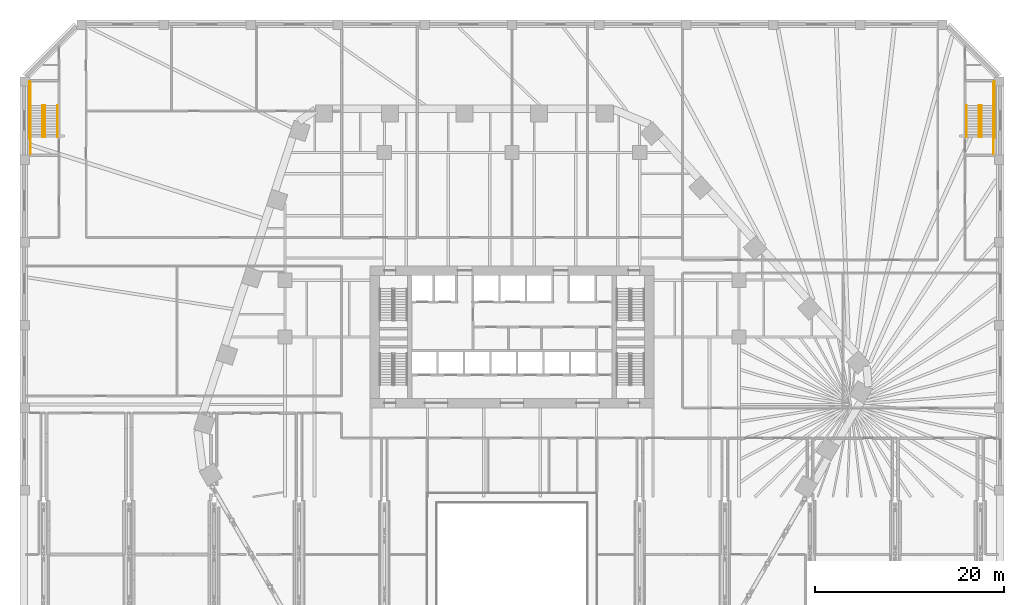
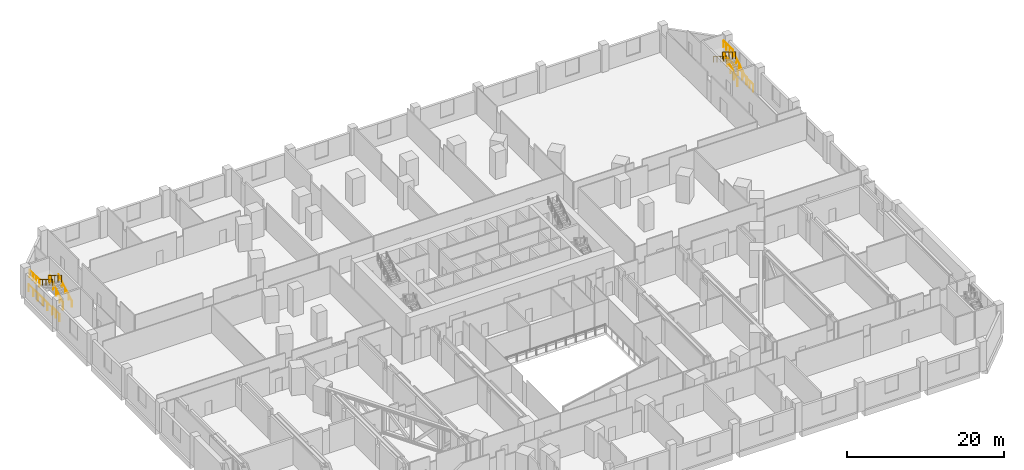
# One storey, part 32 of 32: 14 railings.
"""IFC4 building model written with IfcOpenShell, lengths in metres."""

from ifc_helpers import new_model, si_unit, direction, frame, origin, origin_2d, place, context, subcontext, project, spatial, circle, extrude, material, type_object, element, save


model = new_model("IFC4")

# Units and contexts
model_context = context("Model", 3, precision=1e-05, world=origin(), true_north=direction((0.0, 1.0)))
body_context = subcontext(model_context, "Body", "Model", "MODEL_VIEW")
ifc_project = project(units=[si_unit("LENGTHUNIT", "METRE"), si_unit("AREAUNIT", "SQUARE_METRE"), si_unit("VOLUMEUNIT", "CUBIC_METRE"), si_unit("PLANEANGLEUNIT", "RADIAN"), si_unit("MASSUNIT", "GRAM", prefix="KILO")], contexts=[model_context])

# Site, building, storey
site_placement = place(None, origin())
site = spatial("IfcSite", under=ifc_project, at=site_placement, CompositionType="ELEMENT")
building_placement = place(site_placement, origin())
building = spatial("IfcBuilding", under=site, at=building_placement, Name="Isthmus Gate Tower", CompositionType="ELEMENT")
storey_placement = place(building_placement, frame((0.0, 0.0, 18.0)))
storey = spatial("IfcBuildingStorey", under=building, at=storey_placement, Name="L02", CompositionType="ELEMENT", Elevation=18.0)

# Railings
ifc_material_1 = material(Name="Painted steel balusters with timber handrail", Category="steel")
railing_type_1 = type_object("IfcRailingType", Name="Podium stair guard 1100", PredefinedType="GUARDRAIL", material=ifc_material_1)
railing_1_placement = place(storey_placement, frame((49.60009765625, 28.625, 0.173095703125)))
element("IfcRailing", 1, at=railing_1_placement, inside=storey, type_object=railing_type_1, Name="L02 ST5 stair guard 1", PredefinedType="GUARDRAIL", context=body_context, shape_type="SweptSolid", body=[
    extrude(circle(Radius=0.02392578125, at=origin_2d()), frame((0.0, 0.0, 1.076171875), z_axis=(0.0, 0.850623216509, 0.525775754039), x_axis=(-1.0, 0.0, 0.0)), (0.0, 0.0, 1.0), 3.9501953125),
    extrude(circle(Radius=0.02099609375, at=origin_2d()), origin(), (0.0, 0.0, 1.0), 1.052001953125),
    extrude(circle(Radius=0.02099609375, at=origin_2d()), frame((0.0, 0.840087890625, 0.519287109375)), (0.0, 0.0, 1.0), 1.052001953125),
    extrude(circle(Radius=0.02099609375, at=origin_2d()), frame((0.0, 1.68017578125, 1.03857421875)), (0.0, 0.0, 1.0), 1.052001953125),
    extrude(circle(Radius=0.02099609375, at=origin_2d()), frame((0.0, 2.52001953125, 1.5576171875)), (0.0, 0.0, 1.0), 1.052001953125),
    extrude(circle(Radius=0.02099609375, at=origin_2d()), frame((0.0, 3.360107421875, 2.076904296875)), (0.0, 0.0, 1.0), 1.052001953125),
])
railing_2_placement = place(storey_placement, frame((50.89990234375, 31.985107421875, 2.25)))
element("IfcRailing", 2, at=railing_2_placement, inside=storey, type_object=railing_type_1, Name="L02 ST5 stair guard 2", PredefinedType="GUARDRAIL", context=body_context, shape_type="SweptSolid", body=[
    extrude(circle(Radius=0.02392578125, at=origin_2d()), frame((0.0, 0.0, 1.076171875), z_axis=(0.0, 1.0, 0.0), x_axis=(-1.0, 0.0, 0.0)), (0.0, 0.0, 1.0), 2.43994140625),
    extrude(circle(Radius=0.02099609375, at=origin_2d()), origin(), (0.0, 0.0, 1.0), 1.052001953125),
    extrude(circle(Radius=0.02099609375, at=origin_2d()), frame((0.0, 0.813232421875, 0.0)), (0.0, 0.0, 1.0), 1.052001953125),
    extrude(circle(Radius=0.02099609375, at=origin_2d()), frame((0.0, 1.626708984375, 0.0)), (0.0, 0.0, 1.0), 1.052001953125),
    extrude(circle(Radius=0.02099609375, at=origin_2d()), frame((0.0, 2.43994140625, 0.0)), (0.0, 0.0, 1.0), 1.052001953125),
])
railing_3_placement = place(storey_placement, frame((49.35009765625, 31.985107421875, 2.423095703125)))
element("IfcRailing", 3, at=railing_3_placement, inside=storey, type_object=railing_type_1, Name="L02 ST5 stair guard 3", PredefinedType="GUARDRAIL", context=body_context, shape_type="SweptSolid", body=[
    extrude(circle(Radius=0.02392578125, at=origin_2d()), frame((0.0, 0.0, 1.076171875), z_axis=(0.0, -0.850623216509, 0.525775754039), x_axis=(1.0, 0.0, 0.0)), (0.0, 0.0, 1.0), 3.9501953125),
    extrude(circle(Radius=0.02099609375, at=origin_2d()), origin(), (0.0, 0.0, 1.0), 1.052001953125),
    extrude(circle(Radius=0.02099609375, at=origin_2d()), frame((0.0, -0.840087890625, 0.519287109375)), (0.0, 0.0, 1.0), 1.052001953125),
    extrude(circle(Radius=0.02099609375, at=origin_2d()), frame((0.0, -1.68017578125, 1.03857421875)), (0.0, 0.0, 1.0), 1.052001953125),
    extrude(circle(Radius=0.02099609375, at=origin_2d()), frame((0.0, -2.52001953125, 1.5576171875)), (0.0, 0.0, 1.0), 1.052001953125),
    extrude(circle(Radius=0.02099609375, at=origin_2d()), frame((0.0, -3.360107421875, 2.076904296875)), (0.0, 0.0, 1.0), 1.052001953125),
])
railing_4_placement = place(storey_placement, frame((50.89990234375, 26.824951171875, 0.0)))
element("IfcRailing", 4, at=railing_4_placement, inside=storey, type_object=railing_type_1, Name="L02 ST5 stair guard 4", PredefinedType="GUARDRAIL", context=body_context, shape_type="SweptSolid", body=[
    extrude(circle(Radius=0.02392578125, at=origin_2d()), frame((0.0, 0.0, 1.076171875), z_axis=(0.0, 1.0, 0.0), x_axis=(-1.0, 0.0, 0.0)), (0.0, 0.0, 1.0), 1.800048828125),
    extrude(circle(Radius=0.02099609375, at=origin_2d()), origin(), (0.0, 0.0, 1.0), 1.052001953125),
    extrude(circle(Radius=0.02099609375, at=origin_2d()), frame((0.0, 0.89990234375, 0.0)), (0.0, 0.0, 1.0), 1.052001953125),
    extrude(circle(Radius=0.02099609375, at=origin_2d()), frame((0.0, 1.800048828125, 0.0)), (0.0, 0.0, 1.0), 1.052001953125),
])
railing_5_placement = place(storey_placement, frame((51.0, 28.52490234375, 0.0)))
element("IfcRailing", 5, at=railing_5_placement, inside=storey, type_object=railing_type_1, Name="L02 ST5 stair guard 5", PredefinedType="GUARDRAIL", context=body_context, shape_type="SweptSolid", body=[
    extrude(circle(Radius=0.02392578125, at=origin_2d()), frame((0.0, 0.0, 1.076171875), z_axis=(0.0, 1.0, 0.0), x_axis=(-1.0, 0.0, 0.0)), (0.0, 0.0, 1.0), 6.0),
    extrude(circle(Radius=0.02099609375, at=origin_2d()), origin(), (0.0, 0.0, 1.0), 1.052001953125),
    extrude(circle(Radius=0.02099609375, at=origin_2d()), frame((0.0, 1.199951171875, 0.0)), (0.0, 0.0, 1.0), 1.052001953125),
    extrude(circle(Radius=0.02099609375, at=origin_2d()), frame((0.0, 2.39990234375, 0.0)), (0.0, 0.0, 1.0), 1.052001953125),
    extrude(circle(Radius=0.02099609375, at=origin_2d()), frame((0.0, 3.60009765625, 0.0)), (0.0, 0.0, 1.0), 1.052001953125),
    extrude(circle(Radius=0.02099609375, at=origin_2d()), frame((0.0, 4.800048828125, 0.0)), (0.0, 0.0, 1.0), 1.052001953125),
    extrude(circle(Radius=0.02099609375, at=origin_2d()), frame((0.0, 6.0, 0.0)), (0.0, 0.0, 1.0), 1.052001953125),
])
railing_6_placement = place(storey_placement, frame((-49.35009765625, 28.625, 0.173095703125)))
element("IfcRailing", 6, at=railing_6_placement, inside=storey, type_object=railing_type_1, Name="L02 ST6 stair guard 1", PredefinedType="GUARDRAIL", context=body_context, shape_type="SweptSolid", body=[
    extrude(circle(Radius=0.02392578125, at=origin_2d()), frame((0.0, 0.0, 1.076171875), z_axis=(0.0, 0.850623216509, 0.525775754039), x_axis=(-1.0, 0.0, 0.0)), (0.0, 0.0, 1.0), 3.9501953125),
    extrude(circle(Radius=0.02099609375, at=origin_2d()), origin(), (0.0, 0.0, 1.0), 1.052001953125),
    extrude(circle(Radius=0.02099609375, at=origin_2d()), frame((0.0, 0.840087890625, 0.519287109375)), (0.0, 0.0, 1.0), 1.052001953125),
    extrude(circle(Radius=0.02099609375, at=origin_2d()), frame((0.0, 1.68017578125, 1.03857421875)), (0.0, 0.0, 1.0), 1.052001953125),
    extrude(circle(Radius=0.02099609375, at=origin_2d()), frame((0.0, 2.52001953125, 1.5576171875)), (0.0, 0.0, 1.0), 1.052001953125),
    extrude(circle(Radius=0.02099609375, at=origin_2d()), frame((0.0, 3.360107421875, 2.076904296875)), (0.0, 0.0, 1.0), 1.052001953125),
])
railing_7_placement = place(storey_placement, frame((-50.89990234375, 31.985107421875, 2.25)))
element("IfcRailing", 7, at=railing_7_placement, inside=storey, type_object=railing_type_1, Name="L02 ST6 stair guard 2", PredefinedType="GUARDRAIL", context=body_context, shape_type="SweptSolid", body=[
    extrude(circle(Radius=0.02392578125, at=origin_2d()), frame((0.0, 0.0, 1.076171875), z_axis=(0.0, 1.0, 0.0), x_axis=(-1.0, 0.0, 0.0)), (0.0, 0.0, 1.0), 2.43994140625),
    extrude(circle(Radius=0.02099609375, at=origin_2d()), origin(), (0.0, 0.0, 1.0), 1.052001953125),
    extrude(circle(Radius=0.02099609375, at=origin_2d()), frame((0.0, 0.813232421875, 0.0)), (0.0, 0.0, 1.0), 1.052001953125),
    extrude(circle(Radius=0.02099609375, at=origin_2d()), frame((0.0, 1.626708984375, 0.0)), (0.0, 0.0, 1.0), 1.052001953125),
    extrude(circle(Radius=0.02099609375, at=origin_2d()), frame((0.0, 2.43994140625, 0.0)), (0.0, 0.0, 1.0), 1.052001953125),
])
railing_8_placement = place(storey_placement, frame((-49.60009765625, 31.985107421875, 2.423095703125)))
element("IfcRailing", 8, at=railing_8_placement, inside=storey, type_object=railing_type_1, Name="L02 ST6 stair guard 3", PredefinedType="GUARDRAIL", context=body_context, shape_type="SweptSolid", body=[
    extrude(circle(Radius=0.02392578125, at=origin_2d()), frame((0.0, 0.0, 1.076171875), z_axis=(0.0, -0.850623216509, 0.525775754039), x_axis=(1.0, 0.0, 0.0)), (0.0, 0.0, 1.0), 3.9501953125),
    extrude(circle(Radius=0.02099609375, at=origin_2d()), origin(), (0.0, 0.0, 1.0), 1.052001953125),
    extrude(circle(Radius=0.02099609375, at=origin_2d()), frame((0.0, -0.840087890625, 0.519287109375)), (0.0, 0.0, 1.0), 1.052001953125),
    extrude(circle(Radius=0.02099609375, at=origin_2d()), frame((0.0, -1.68017578125, 1.03857421875)), (0.0, 0.0, 1.0), 1.052001953125),
    extrude(circle(Radius=0.02099609375, at=origin_2d()), frame((0.0, -2.52001953125, 1.5576171875)), (0.0, 0.0, 1.0), 1.052001953125),
    extrude(circle(Radius=0.02099609375, at=origin_2d()), frame((0.0, -3.360107421875, 2.076904296875)), (0.0, 0.0, 1.0), 1.052001953125),
])
railing_9_placement = place(storey_placement, frame((-50.89990234375, 26.824951171875, 0.0)))
element("IfcRailing", 9, at=railing_9_placement, inside=storey, type_object=railing_type_1, Name="L02 ST6 stair guard 4", PredefinedType="GUARDRAIL", context=body_context, shape_type="SweptSolid", body=[
    extrude(circle(Radius=0.02392578125, at=origin_2d()), frame((0.0, 0.0, 1.076171875), z_axis=(0.0, 1.0, 0.0), x_axis=(-1.0, 0.0, 0.0)), (0.0, 0.0, 1.0), 1.800048828125),
    extrude(circle(Radius=0.02099609375, at=origin_2d()), origin(), (0.0, 0.0, 1.0), 1.052001953125),
    extrude(circle(Radius=0.02099609375, at=origin_2d()), frame((0.0, 0.89990234375, 0.0)), (0.0, 0.0, 1.0), 1.052001953125),
    extrude(circle(Radius=0.02099609375, at=origin_2d()), frame((0.0, 1.800048828125, 0.0)), (0.0, 0.0, 1.0), 1.052001953125),
])
railing_10_placement = place(storey_placement, frame((-51.0, 28.52490234375, 0.0)))
element("IfcRailing", 10, at=railing_10_placement, inside=storey, type_object=railing_type_1, Name="L02 ST6 stair guard 5", PredefinedType="GUARDRAIL", context=body_context, shape_type="SweptSolid", body=[
    extrude(circle(Radius=0.02392578125, at=origin_2d()), frame((0.0, 0.0, 1.076171875), z_axis=(0.0, 1.0, 0.0), x_axis=(-1.0, 0.0, 0.0)), (0.0, 0.0, 1.0), 6.0),
    extrude(circle(Radius=0.02099609375, at=origin_2d()), origin(), (0.0, 0.0, 1.0), 1.052001953125),
    extrude(circle(Radius=0.02099609375, at=origin_2d()), frame((0.0, 1.199951171875, 0.0)), (0.0, 0.0, 1.0), 1.052001953125),
    extrude(circle(Radius=0.02099609375, at=origin_2d()), frame((0.0, 2.39990234375, 0.0)), (0.0, 0.0, 1.0), 1.052001953125),
    extrude(circle(Radius=0.02099609375, at=origin_2d()), frame((0.0, 3.60009765625, 0.0)), (0.0, 0.0, 1.0), 1.052001953125),
    extrude(circle(Radius=0.02099609375, at=origin_2d()), frame((0.0, 4.800048828125, 0.0)), (0.0, 0.0, 1.0), 1.052001953125),
    extrude(circle(Radius=0.02099609375, at=origin_2d()), frame((0.0, 6.0, 0.0)), (0.0, 0.0, 1.0), 1.052001953125),
])
ifc_material_2 = material(Name="Stainless steel tube", Category="steel")
railing_type_2 = type_object("IfcRailingType", Name="Podium stair handrail 900", PredefinedType="HANDRAIL", material=ifc_material_2)
railing_11_placement = place(storey_placement, frame((50.89990234375, 28.625, 0.173095703125)))
element("IfcRailing", 11, at=railing_11_placement, inside=storey, type_object=railing_type_2, Name="L02 ST5 stair handrail 1", PredefinedType="HANDRAIL", context=body_context, shape_type="SweptSolid", body=[
    extrude(circle(Radius=0.02392578125, at=origin_2d()), frame((0.0, 0.0, 0.8759765625), z_axis=(0.0, 0.850623216509, 0.525775754039), x_axis=(-1.0, 0.0, 0.0)), (0.0, 0.0, 1.0), 3.9501953125),
    extrude(circle(Radius=0.02099609375, at=origin_2d()), origin(), (0.0, 0.0, 1.0), 0.851806640625),
    extrude(circle(Radius=0.02099609375, at=origin_2d()), frame((0.0, 0.840087890625, 0.519287109375)), (0.0, 0.0, 1.0), 0.851806640625),
    extrude(circle(Radius=0.02099609375, at=origin_2d()), frame((0.0, 1.68017578125, 1.03857421875)), (0.0, 0.0, 1.0), 0.851806640625),
    extrude(circle(Radius=0.02099609375, at=origin_2d()), frame((0.0, 2.52001953125, 1.5576171875)), (0.0, 0.0, 1.0), 0.851806640625),
    extrude(circle(Radius=0.02099609375, at=origin_2d()), frame((0.0, 3.360107421875, 2.076904296875)), (0.0, 0.0, 1.0), 0.851806640625),
])
railing_12_placement = place(storey_placement, frame((48.050048828125, 31.985107421875, 2.423095703125)))
element("IfcRailing", 12, at=railing_12_placement, inside=storey, type_object=railing_type_2, Name="L02 ST5 stair handrail 2", PredefinedType="HANDRAIL", context=body_context, shape_type="SweptSolid", body=[
    extrude(circle(Radius=0.02392578125, at=origin_2d()), frame((0.0, 0.0, 0.8759765625), z_axis=(0.0, -0.850623216509, 0.525775754039), x_axis=(1.0, 0.0, 0.0)), (0.0, 0.0, 1.0), 3.9501953125),
    extrude(circle(Radius=0.02099609375, at=origin_2d()), origin(), (0.0, 0.0, 1.0), 0.851806640625),
    extrude(circle(Radius=0.02099609375, at=origin_2d()), frame((0.0, -0.840087890625, 0.519287109375)), (0.0, 0.0, 1.0), 0.851806640625),
    extrude(circle(Radius=0.02099609375, at=origin_2d()), frame((0.0, -1.68017578125, 1.03857421875)), (0.0, 0.0, 1.0), 0.851806640625),
    extrude(circle(Radius=0.02099609375, at=origin_2d()), frame((0.0, -2.52001953125, 1.5576171875)), (0.0, 0.0, 1.0), 0.851806640625),
    extrude(circle(Radius=0.02099609375, at=origin_2d()), frame((0.0, -3.360107421875, 2.076904296875)), (0.0, 0.0, 1.0), 0.851806640625),
])
railing_13_placement = place(storey_placement, frame((-48.050048828125, 28.625, 0.173095703125)))
element("IfcRailing", 13, at=railing_13_placement, inside=storey, type_object=railing_type_2, Name="L02 ST6 stair handrail 1", PredefinedType="HANDRAIL", context=body_context, shape_type="SweptSolid", body=[
    extrude(circle(Radius=0.02392578125, at=origin_2d()), frame((0.0, 0.0, 0.8759765625), z_axis=(0.0, 0.850623216509, 0.525775754039), x_axis=(-1.0, 0.0, 0.0)), (0.0, 0.0, 1.0), 3.9501953125),
    extrude(circle(Radius=0.02099609375, at=origin_2d()), origin(), (0.0, 0.0, 1.0), 0.851806640625),
    extrude(circle(Radius=0.02099609375, at=origin_2d()), frame((0.0, 0.840087890625, 0.519287109375)), (0.0, 0.0, 1.0), 0.851806640625),
    extrude(circle(Radius=0.02099609375, at=origin_2d()), frame((0.0, 1.68017578125, 1.03857421875)), (0.0, 0.0, 1.0), 0.851806640625),
    extrude(circle(Radius=0.02099609375, at=origin_2d()), frame((0.0, 2.52001953125, 1.5576171875)), (0.0, 0.0, 1.0), 0.851806640625),
    extrude(circle(Radius=0.02099609375, at=origin_2d()), frame((0.0, 3.360107421875, 2.076904296875)), (0.0, 0.0, 1.0), 0.851806640625),
])
railing_14_placement = place(storey_placement, frame((-50.89990234375, 31.985107421875, 2.423095703125)))
element("IfcRailing", 14, at=railing_14_placement, inside=storey, type_object=railing_type_2, Name="L02 ST6 stair handrail 2", PredefinedType="HANDRAIL", context=body_context, shape_type="SweptSolid", body=[
    extrude(circle(Radius=0.02392578125, at=origin_2d()), frame((0.0, 0.0, 0.8759765625), z_axis=(0.0, -0.850623216509, 0.525775754039), x_axis=(1.0, 0.0, 0.0)), (0.0, 0.0, 1.0), 3.9501953125),
    extrude(circle(Radius=0.02099609375, at=origin_2d()), origin(), (0.0, 0.0, 1.0), 0.851806640625),
    extrude(circle(Radius=0.02099609375, at=origin_2d()), frame((0.0, -0.840087890625, 0.519287109375)), (0.0, 0.0, 1.0), 0.851806640625),
    extrude(circle(Radius=0.02099609375, at=origin_2d()), frame((0.0, -1.68017578125, 1.03857421875)), (0.0, 0.0, 1.0), 0.851806640625),
    extrude(circle(Radius=0.02099609375, at=origin_2d()), frame((0.0, -2.52001953125, 1.5576171875)), (0.0, 0.0, 1.0), 0.851806640625),
    extrude(circle(Radius=0.02099609375, at=origin_2d()), frame((0.0, -3.360107421875, 2.076904296875)), (0.0, 0.0, 1.0), 0.851806640625),
])

save(model, "model.ifc")
